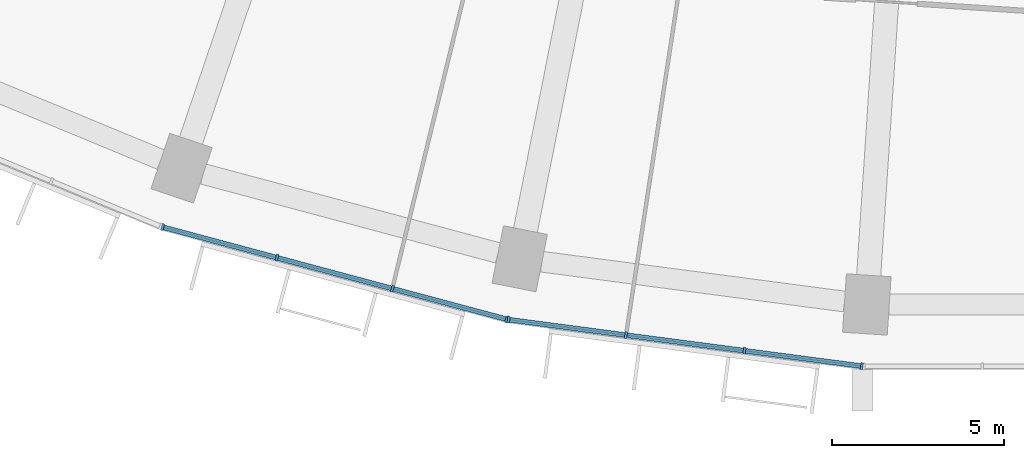
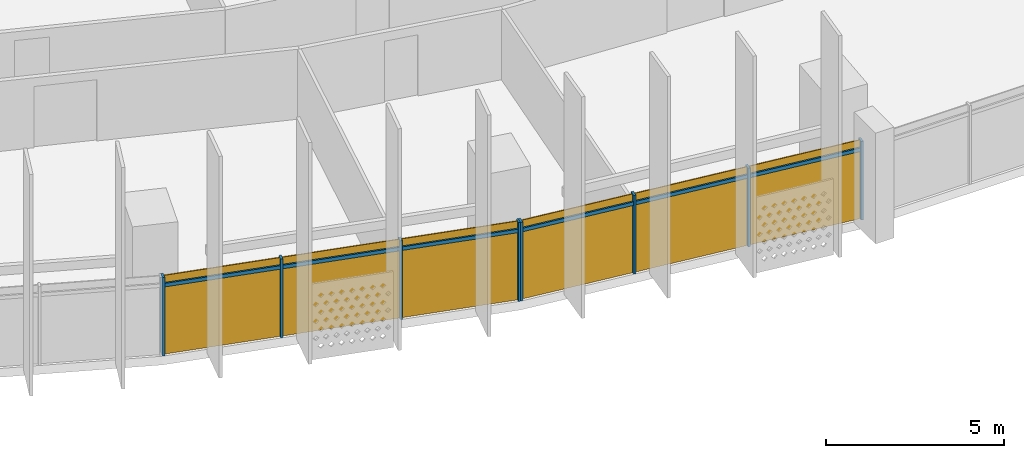
# One storey, part 21 of 32: 14 members, 2 curtain walls.
"""IFC4 building model written with IfcOpenShell, lengths in metres."""

from ifc_helpers import new_model, si_unit, direction, frame, origin, origin_2d, place, context, subcontext, project, spatial, rectangle, extrude, material, material_profile, profile_set, type_object, element, aggregate, save


model = new_model("IFC4")

# Units and contexts
model_context = context("Model", 3, precision=1e-05, world=origin(), true_north=direction((0.0, 1.0)))
body_context = subcontext(model_context, "Body", "Model", "MODEL_VIEW")
ifc_project = project(units=[si_unit("LENGTHUNIT", "METRE"), si_unit("AREAUNIT", "SQUARE_METRE"), si_unit("VOLUMEUNIT", "CUBIC_METRE"), si_unit("PLANEANGLEUNIT", "RADIAN"), si_unit("MASSUNIT", "GRAM", prefix="KILO")], contexts=[model_context])

# Member
ifc_material = material(Name="Aluminium 6063-T6 anodised", Category="aluminium")
ifc_material_profile_1 = material_profile(ifc_material, rectangle(XDim=0.199951171875, YDim=0.070068359375, at=origin_2d()))
ifc_profile_set_1 = profile_set([ifc_material_profile_1], Name="Aluminium 6063-T6 anodised")
member_type_1 = type_object("IfcMemberType", Name="Mullion 70 x 200 aluminium", PredefinedType="MULLION", material=ifc_profile_set_1)
site_placement = place(None, origin())
building_placement = place(site_placement, origin())
storey_placement = place(building_placement, frame((0.0, 0.0, 70.89990234375)))
member_1_placement = place(storey_placement, frame((-25.54296875, -75.33544921875, 0.0), z_axis=(0.0, 0.0, 1.0), x_axis=(0.258819045103, 0.965925826289, 0.0)))
member_1 = element("IfcMember", 1, at=member_1_placement, type_object=member_type_1, Name="e-cw1-L14-out06/M00", PredefinedType="MULLION", context=body_context, shape_type="SweptSolid", body=[
    extrude(rectangle(XDim=0.199951171875, YDim=0.070068359375, at=origin_2d()), origin(), (0.0, 0.0, 1.0), 2.7001953125),
])

member_2_placement = place(storey_placement, frame((-22.22216796875, -76.225341796875, 0.0), z_axis=(0.0, 0.0, 1.0), x_axis=(0.258819045103, 0.965925826289, 0.0)))
member_2 = element("IfcMember", 2, at=member_2_placement, type_object=member_type_1, Name="e-cw1-L14-out06/M01", PredefinedType="MULLION", context=body_context, shape_type="SweptSolid", body=[
    extrude(rectangle(XDim=0.199951171875, YDim=0.070068359375, at=origin_2d()), origin(), (0.0, 0.0, 1.0), 2.7001953125),
])

member_3_placement = place(storey_placement, frame((-18.86767578125, -77.1240234375, 0.0), z_axis=(0.0, 0.0, 1.0), x_axis=(0.258819045103, 0.965925826289, 0.0)))
member_3 = element("IfcMember", 3, at=member_3_placement, type_object=member_type_1, Name="e-cw1-L14-out06/M02", PredefinedType="MULLION", context=body_context, shape_type="SweptSolid", body=[
    extrude(rectangle(XDim=0.199951171875, YDim=0.070068359375, at=origin_2d()), origin(), (0.0, 0.0, 1.0), 2.7001953125),
])

member_4_placement = place(storey_placement, frame((-15.546875, -78.013916015625, 0.0), z_axis=(0.0, 0.0, 1.0), x_axis=(0.258819045103, 0.965925826289, 0.0)))
member_4 = element("IfcMember", 4, at=member_4_placement, type_object=member_type_1, Name="e-cw1-L14-out06/M03", PredefinedType="MULLION", context=body_context, shape_type="SweptSolid", body=[
    extrude(rectangle(XDim=0.199951171875, YDim=0.070068359375, at=origin_2d()), origin(), (0.0, 0.0, 1.0), 2.7001953125),
])

member_5_placement = place(storey_placement, frame((-15.4912109375, -78.02490234375, 0.0), z_axis=(0.0, 0.0, 1.0), x_axis=(0.13052619222, 0.991444861374, 0.0)))
member_5 = element("IfcMember", 5, at=member_5_placement, type_object=member_type_1, Name="e-cw1-L14-out07/M00", PredefinedType="MULLION", context=body_context, shape_type="SweptSolid", body=[
    extrude(rectangle(XDim=0.199951171875, YDim=0.070068359375, at=origin_2d()), origin(), (0.0, 0.0, 1.0), 2.7001953125),
])

member_6_placement = place(storey_placement, frame((-12.082763671875, -78.4736328125, 0.0), z_axis=(0.0, 0.0, 1.0), x_axis=(0.13052619222, 0.991444861374, 0.0)))
member_6 = element("IfcMember", 6, at=member_6_placement, type_object=member_type_1, Name="e-cw1-L14-out07/M01", PredefinedType="MULLION", context=body_context, shape_type="SweptSolid", body=[
    extrude(rectangle(XDim=0.199951171875, YDim=0.070068359375, at=origin_2d()), origin(), (0.0, 0.0, 1.0), 2.7001953125),
])

member_7_placement = place(storey_placement, frame((-8.639404296875, -78.927001953125, 0.0), z_axis=(0.0, 0.0, 1.0), x_axis=(0.13052619222, 0.991444861374, 0.0)))
member_7 = element("IfcMember", 7, at=member_7_placement, type_object=member_type_1, Name="e-cw1-L14-out07/M02", PredefinedType="MULLION", context=body_context, shape_type="SweptSolid", body=[
    extrude(rectangle(XDim=0.199951171875, YDim=0.070068359375, at=origin_2d()), origin(), (0.0, 0.0, 1.0), 2.7001953125),
])

member_8_placement = place(storey_placement, frame((-5.23095703125, -79.375732421875, 0.0), z_axis=(0.0, 0.0, 1.0), x_axis=(0.13052619222, 0.991444861374, 0.0)))
member_8 = element("IfcMember", 8, at=member_8_placement, type_object=member_type_1, Name="e-cw1-L14-out07/M03", PredefinedType="MULLION", context=body_context, shape_type="SweptSolid", body=[
    extrude(rectangle(XDim=0.199951171875, YDim=0.070068359375, at=origin_2d()), origin(), (0.0, 0.0, 1.0), 2.7001953125),
])

ifc_material_profile_2 = material_profile(ifc_material, rectangle(XDim=0.139892578125, YDim=0.1201171875, at=origin_2d()))
ifc_profile_set_2 = profile_set([ifc_material_profile_2], Name="Aluminium 6063-T6 anodised")
member_type_2 = type_object("IfcMemberType", Name="Transom 120 x 140 aluminium", PredefinedType="USERDEFINED", material=ifc_profile_set_2)
member_9_placement = place(storey_placement, frame((-25.50927734375, -75.344482421875, 2.400146484375), z_axis=(0.965915368772, -0.258858069935, 0.0), x_axis=(0.258858069935, 0.965915368772, 0.0)))
member_9 = element("IfcMember", 9, at=member_9_placement, type_object=member_type_2, Name="e-cw1-L14-out06/T00", ObjectType="TRANSOM", PredefinedType="USERDEFINED", context=body_context, shape_type="SweptSolid", body=[
    extrude(rectangle(XDim=0.139892578125, YDim=0.1201171875, at=origin_2d()), origin(), (0.0, 0.0, 1.0), 3.367919921875),
])

member_10_placement = place(storey_placement, frame((-22.1884765625, -76.234375, 2.400146484375), z_axis=(0.965937804901, -0.258774336176, 0.0), x_axis=(0.258774336176, 0.965937804901, 0.0)))
member_10 = element("IfcMember", 10, at=member_10_placement, type_object=member_type_2, Name="e-cw1-L14-out06/T01", ObjectType="TRANSOM", PredefinedType="USERDEFINED", context=body_context, shape_type="SweptSolid", body=[
    extrude(rectangle(XDim=0.139892578125, YDim=0.1201171875, at=origin_2d()), origin(), (0.0, 0.0, 1.0), 3.403076171875),
])

member_11_placement = place(storey_placement, frame((-18.833740234375, -77.133056640625, 2.400146484375), z_axis=(0.965915368772, -0.258858069935, 0.0), x_axis=(0.258858069935, 0.965915368772, 0.0)))
member_11 = element("IfcMember", 11, at=member_11_placement, type_object=member_type_2, Name="e-cw1-L14-out06/T02", ObjectType="TRANSOM", PredefinedType="USERDEFINED", context=body_context, shape_type="SweptSolid", body=[
    extrude(rectangle(XDim=0.139892578125, YDim=0.1201171875, at=origin_2d()), origin(), (0.0, 0.0, 1.0), 3.367919921875),
])

member_12_placement = place(storey_placement, frame((-15.45654296875, -78.029541015625, 2.400146484375), z_axis=(0.9914412138, -0.130553895303, 0.0), x_axis=(0.130553895303, 0.9914412138, 0.0)))
member_12 = element("IfcMember", 12, at=member_12_placement, type_object=member_type_2, Name="e-cw1-L14-out07/T00", ObjectType="TRANSOM", PredefinedType="USERDEFINED", context=body_context, shape_type="SweptSolid", body=[
    extrude(rectangle(XDim=0.139892578125, YDim=0.1201171875, at=origin_2d()), origin(), (0.0, 0.0, 1.0), 3.367919921875),
])

member_13_placement = place(storey_placement, frame((-12.048095703125, -78.478271484375, 2.400146484375), z_axis=(0.991447700941, -0.130504621753, 0.0), x_axis=(0.130504621753, 0.991447700941, 0.0)))
member_13 = element("IfcMember", 13, at=member_13_placement, type_object=member_type_2, Name="e-cw1-L14-out07/T01", ObjectType="TRANSOM", PredefinedType="USERDEFINED", context=body_context, shape_type="SweptSolid", body=[
    extrude(rectangle(XDim=0.139892578125, YDim=0.1201171875, at=origin_2d()), origin(), (0.0, 0.0, 1.0), 3.40283203125),
])

member_14_placement = place(storey_placement, frame((-8.604736328125, -78.931640625, 2.400146484375), z_axis=(0.991450594138, -0.130482640159, 0.0), x_axis=(0.130482640159, 0.991450594138, 0.0)))
member_14 = element("IfcMember", 14, at=member_14_placement, type_object=member_type_2, Name="e-cw1-L14-out07/T02", ObjectType="TRANSOM", PredefinedType="USERDEFINED", context=body_context, shape_type="SweptSolid", body=[
    extrude(rectangle(XDim=0.139892578125, YDim=0.1201171875, at=origin_2d()), origin(), (0.0, 0.0, 1.0), 3.367919921875),
])

# Site, building, storey
site = spatial("IfcSite", under=ifc_project, at=site_placement, CompositionType="ELEMENT")
building = spatial("IfcBuilding", under=site, at=building_placement, Name="Qamariyya Broadcast Tower", CompositionType="ELEMENT")
storey = spatial("IfcBuildingStorey", under=building, at=storey_placement, Name="L14", CompositionType="ELEMENT", Elevation=70.89990234375)

# Curtain wall
curtain_wall_type = type_object("IfcCurtainWallType", Name="Unitised curtain wall, anodised aluminium", PredefinedType="NOTDEFINED", material=ifc_material)
curtain_wall_1_placement = place(storey_placement, origin())
curtain_wall_1 = element("IfcCurtainWall", 15, at=curtain_wall_1_placement, inside=storey, type_object=curtain_wall_type, Name="e-cw1-L14-out06", PredefinedType="NOTDEFINED", context=body_context, shape_type="SweptSolid", body=[
    extrude(rectangle(XDim=3.367919921875, YDim=0.031982421875, at=origin_2d()), frame((-23.882568359375, -75.7802734375, 0.0), x_axis=(0.965925039578, -0.258821981129, 0.0)), (0.0, 0.0, 1.0), 2.340087890625),
    extrude(rectangle(XDim=3.367919921875, YDim=0.031982421875, at=origin_2d()), frame((-23.882568359375, -75.7802734375, 2.460205078125), x_axis=(0.965925039578, -0.258821981129, 0.0)), (0.0, 0.0, 1.0), 0.239990234375),
    extrude(rectangle(XDim=3.40283203125, YDim=0.031982421875, at=origin_2d()), frame((-20.544921875, -76.6748046875, 0.0), x_axis=(0.965925039578, -0.258821981129, 0.0)), (0.0, 0.0, 1.0), 2.340087890625),
    extrude(rectangle(XDim=3.40283203125, YDim=0.031982421875, at=origin_2d()), frame((-20.544921875, -76.6748046875, 2.460205078125), x_axis=(0.965925039578, -0.258821981129, 0.0)), (0.0, 0.0, 1.0), 0.239990234375),
    extrude(rectangle(XDim=3.367919921875, YDim=0.031982421875, at=origin_2d()), frame((-17.207275390625, -77.569091796875, 0.0), x_axis=(0.965925039578, -0.258821981129, 0.0)), (0.0, 0.0, 1.0), 2.340087890625),
    extrude(rectangle(XDim=3.367919921875, YDim=0.031982421875, at=origin_2d()), frame((-17.207275390625, -77.569091796875, 2.460205078125), x_axis=(0.965925039578, -0.258821981129, 0.0)), (0.0, 0.0, 1.0), 0.239990234375),
])

aggregate(curtain_wall_1, [member_1, member_2, member_3, member_4, member_9, member_10, member_11])

curtain_wall_2_placement = place(storey_placement, origin())
curtain_wall_2 = element("IfcCurtainWall", 16, at=curtain_wall_2_placement, inside=storey, type_object=curtain_wall_type, Name="e-cw1-L14-out07", PredefinedType="NOTDEFINED", context=body_context, shape_type="SweptSolid", body=[
    extrude(rectangle(XDim=3.367919921875, YDim=0.031982421875, at=origin_2d()), frame((-13.786865234375, -78.24951171875, 0.0), x_axis=(0.991445519925, -0.130521189931, 0.0)), (0.0, 0.0, 1.0), 2.340087890625),
    extrude(rectangle(XDim=3.367919921875, YDim=0.031982421875, at=origin_2d()), frame((-13.786865234375, -78.24951171875, 2.460205078125), x_axis=(0.991445519925, -0.130521189931, 0.0)), (0.0, 0.0, 1.0), 0.239990234375),
    extrude(rectangle(XDim=3.40283203125, YDim=0.031982421875, at=origin_2d()), frame((-10.361083984375, -78.700439453125, 0.0), x_axis=(0.991445519925, -0.130521189931, 0.0)), (0.0, 0.0, 1.0), 2.340087890625),
    extrude(rectangle(XDim=3.40283203125, YDim=0.031982421875, at=origin_2d()), frame((-10.361083984375, -78.700439453125, 2.460205078125), x_axis=(0.991445519925, -0.130521189931, 0.0)), (0.0, 0.0, 1.0), 0.239990234375),
    extrude(rectangle(XDim=3.367919921875, YDim=0.031982421875, at=origin_2d()), frame((-6.935302734375, -79.1513671875, 0.0), x_axis=(0.991445519925, -0.130521189931, 0.0)), (0.0, 0.0, 1.0), 2.340087890625),
    extrude(rectangle(XDim=3.367919921875, YDim=0.031982421875, at=origin_2d()), frame((-6.935302734375, -79.1513671875, 2.460205078125), x_axis=(0.991445519925, -0.130521189931, 0.0)), (0.0, 0.0, 1.0), 0.239990234375),
])

aggregate(curtain_wall_2, [member_5, member_6, member_7, member_8, member_12, member_13, member_14])

save(model, "model.ifc")
